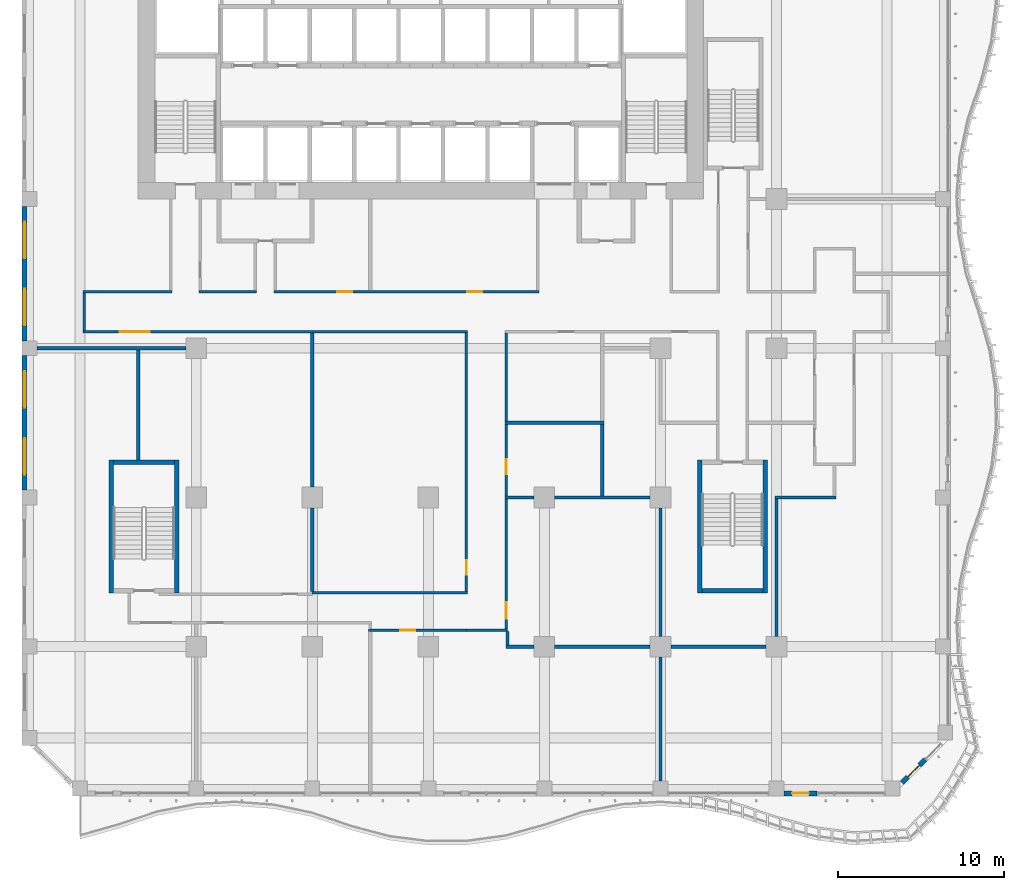
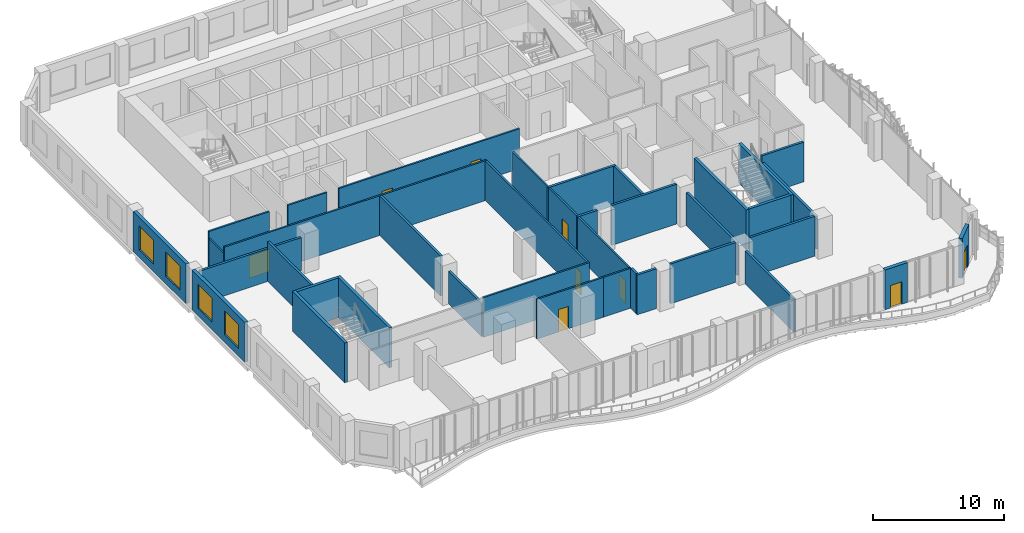
# One storey, part 13 of 28: 38 walls, 9 doors, 4 windows, 13 openings.
"""IFC4 building model written with IfcOpenShell, lengths in metres."""

from ifc_helpers import new_model, si_unit, direction, frame, frame_2d, origin, place, context, subcontext, project, spatial, rectangle, extrude, source, transform, mapped, material, layer, layer_set, type_object, element, fill, save


model = new_model("IFC4")

# Units and contexts
model_context = context("Model", 3, precision=1e-05, world=origin(), true_north=direction((0.0, 1.0)))
body_context = subcontext(model_context, "Body", "Model", "MODEL_VIEW")
ifc_project = project(units=[si_unit("LENGTHUNIT", "METRE"), si_unit("AREAUNIT", "SQUARE_METRE"), si_unit("VOLUMEUNIT", "CUBIC_METRE"), si_unit("PLANEANGLEUNIT", "RADIAN"), si_unit("MASSUNIT", "GRAM", prefix="KILO")], contexts=[model_context])

# Site, building, storey
site_placement = place(None, origin())
site = spatial("IfcSite", under=ifc_project, at=site_placement, CompositionType="ELEMENT")
building_placement = place(site_placement, origin())
building = spatial("IfcBuilding", under=site, at=building_placement, Name="Kilnfold Tower and Market Hall", CompositionType="ELEMENT")
storey_placement = place(building_placement, frame((0.0, 0.0, 87.199951171875)))
storey = spatial("IfcBuildingStorey", under=building, at=storey_placement, Name="L20", CompositionType="ELEMENT", Elevation=87.199951171875)

# Wall
ifc_material_1 = material(Name="Gypsum board on steel studs", Category="steel")
ifc_layer_1 = layer(ifc_material_1, 0.14990234375)
ifc_layer_set_1 = layer_set([ifc_layer_1], Name="Gypsum board on steel studs")
wall_type_1 = type_object("IfcWallType", Name="WALL CORRIDOR 150", PredefinedType="PARTITIONING", material=ifc_layer_set_1)
wall_1_placement = place(storey_placement, frame((3.802001953125, -18.0, 0.0), z_axis=(0.0, 0.0, 1.0), x_axis=(1.0, 0.0, 0.0)))
element("IfcWall", 1, at=wall_1_placement, inside=storey, type_object=wall_type_1, Name="Partition LY14.4", PredefinedType="PARTITIONING", context=body_context, shape_type="SweptSolid", body=[
    extrude(rectangle(XDim=2.472900390625, YDim=0.14990234375, at=frame_2d((1.236328125, 0.0))), origin(), (0.0, 0.0, 1.0), 3.719970703125),
])

# Wall, opening, door
wall_2_placement = place(storey_placement, frame((-2.10205078125, -18.001953125, 0.0), z_axis=(0.0, 0.0, 1.0), x_axis=(1.0, 0.0, 0.0)))
wall_2 = element("IfcWall", 2, at=wall_2_placement, inside=storey, type_object=wall_type_1, Name="Partition LY14.5", PredefinedType="PARTITIONING", context=body_context, shape_type="SweptSolid", body=[
    extrude(rectangle(XDim=5.904052734375, YDim=0.14990234375, at=frame_2d((2.9521484375, 0.0))), origin(), (0.0, 0.0, 1.0), 3.719970703125),
])
opening_1_placement = place(wall_2_placement, frame((1.90087890625, 0.0, 0.0)))
opening_1 = element("IfcOpeningElement", 3, at=opening_1_placement, cuts=wall_2, Name="Opening D2", PredefinedType="OPENING", context=body_context, shape_type="SweptSolid", body=[
    extrude(rectangle(XDim=0.89990234375, YDim=2.10009765625, at=frame_2d((0.449951171875, 1.050048828125))), frame((0.0, 0.0849609375, 0.0), z_axis=(0.0, -1.0, 0.0), x_axis=(1.0, 0.0, 0.0)), (0.0, 0.0, 1.0), 0.169921875),
])
ifc_material_2 = material(Name="Timber veneer door leaf in steel frame", Category="steel")
door_type_1 = type_object("IfcDoorType", Name="DOOR ROOM 900 X2100", OperationType="NOTDEFINED", PredefinedType="DOOR", material=ifc_material_2)
door_1_placement = place(opening_1_placement, origin())
door_1 = element("IfcDoor", 4, at=door_1_placement, inside=storey, type_object=door_type_1, Name="Door D2", OperationType="SINGLE_SWING_RIGHT", OverallHeight=2.10009765625, OverallWidth=0.89990234375, PredefinedType="DOOR", context=body_context, shape_type="SweptSolid", body=[
    extrude(rectangle(XDim=0.89990234375, YDim=2.10009765625, at=frame_2d((0.449951171875, 1.050048828125))), frame((0.0, 0.02490234375, 0.0), z_axis=(0.0, -1.0, 0.0), x_axis=(1.0, 0.0, 0.0)), (0.0, 0.0, 1.0), 0.050048828125),
])
fill(opening_1, door_1)

wall_3_placement = place(storey_placement, frame((-19.324951171875, 0.0, 0.0), z_axis=(0.0, 0.0, 1.0), x_axis=(1.0, 0.0, 0.0)))
wall_3 = element("IfcWall", 5, at=wall_3_placement, inside=storey, type_object=wall_type_1, Name="Partition LY14.6", PredefinedType="PARTITIONING", context=body_context, shape_type="SweptSolid", body=[
    extrude(rectangle(XDim=23.199951171875, YDim=0.14990234375, at=frame_2d((11.60009765625, 0.0))), origin(), (0.0, 0.0, 1.0), 3.719970703125),
])
opening_2_placement = place(wall_3_placement, frame((2.215087890625, 0.0, 0.0)))
opening_2 = element("IfcOpeningElement", 6, at=opening_2_placement, cuts=wall_3, Name="Opening D5", PredefinedType="OPENING", context=body_context, shape_type="SweptSolid", body=[
    extrude(rectangle(XDim=1.800048828125, YDim=2.10009765625, at=frame_2d((0.89990234375, 1.050048828125))), frame((0.0, 0.0849609375, 0.0), z_axis=(0.0, -1.0, 0.0), x_axis=(1.0, 0.0, 0.0)), (0.0, 0.0, 1.0), 0.169921875),
])
ifc_material_3 = material(Name="Timber veneer door leaf in steel frame", Category="steel")
door_type_2 = type_object("IfcDoorType", Name="DOOR DOUBLE 1800 X2100", OperationType="NOTDEFINED", PredefinedType="DOOR", material=ifc_material_3)
door_2_placement = place(opening_2_placement, origin())
door_2 = element("IfcDoor", 7, at=door_2_placement, inside=storey, type_object=door_type_2, Name="Door D5", OperationType="DOUBLE_DOOR_SINGLE_SWING", OverallHeight=2.10009765625, OverallWidth=1.800048828125, PredefinedType="DOOR", context=body_context, shape_type="SweptSolid", body=[
    extrude(rectangle(XDim=1.800048828125, YDim=2.10009765625, at=frame_2d((0.89990234375, 1.050048828125))), frame((0.0, 0.02490234375, 0.0), z_axis=(0.0, -1.0, 0.0), x_axis=(1.0, 0.0, 0.0)), (0.0, 0.0, 1.0), 0.050048828125),
])
fill(opening_2, door_2)

# Walls
wall_4_placement = place(storey_placement, frame((-19.25, 2.324951171875, 0.0), z_axis=(0.0, 0.0, 1.0), x_axis=(0.0, -1.0, 0.0)))
element("IfcWall", 8, at=wall_4_placement, inside=storey, type_object=wall_type_1, Name="Partition LY14.7", PredefinedType="PARTITIONING", context=body_context, shape_type="SweptSolid", body=[
    extrude(rectangle(XDim=2.25, YDim=0.14990234375, at=frame_2d((1.125, 0.0))), origin(), (0.0, 0.0, 1.0), 3.070068359375),
])
wall_5_placement = place(storey_placement, frame((-19.324951171875, 2.39990234375, 0.0), z_axis=(0.0, 0.0, 1.0), x_axis=(1.0, 0.0, 0.0)))
element("IfcWall", 9, at=wall_5_placement, inside=storey, type_object=wall_type_1, Name="Partition LY14.8", PredefinedType="PARTITIONING", context=body_context, shape_type="SweptSolid", body=[
    extrude(rectangle(XDim=5.349853515625, YDim=0.14990234375, at=frame_2d((2.6748046875, 0.0))), origin(), (0.0, 0.0, 1.0), 3.719970703125),
])
wall_6_placement = place(storey_placement, frame((3.875, -15.75, 0.0), z_axis=(0.0, 0.0, 1.0), x_axis=(-1.0, 0.0, 0.0)))
element("IfcWall", 10, at=wall_6_placement, inside=storey, type_object=wall_type_1, Name="Partition LY14.11", PredefinedType="PARTITIONING", context=body_context, shape_type="SweptSolid", body=[
    extrude(rectangle(XDim=9.385009765625, YDim=0.14990234375, at=frame_2d((4.6923828125, 0.0))), origin(), (0.0, 0.0, 1.0), 3.719970703125),
])

# Wall, opening, door
wall_7_placement = place(storey_placement, frame((3.800048828125, -0.074951171875, 0.0), z_axis=(0.0, 0.0, 1.0), x_axis=(0.0, -1.0, 0.0)))
wall_7 = element("IfcWall", 11, at=wall_7_placement, inside=storey, type_object=wall_type_1, Name="Partition LY14.12", PredefinedType="PARTITIONING", context=body_context, shape_type="SweptSolid", body=[
    extrude(rectangle(XDim=15.60009765625, YDim=0.14990234375, at=frame_2d((7.800048828125, 0.0))), origin(), (0.0, 0.0, 1.0), 3.719970703125),
])
opening_3_placement = place(wall_7_placement, frame((13.699951171875, 0.0, 0.0)))
opening_3 = element("IfcOpeningElement", 12, at=opening_3_placement, cuts=wall_7, Name="Opening D2", PredefinedType="OPENING", context=body_context, shape_type="SweptSolid", body=[
    extrude(rectangle(XDim=0.89990234375, YDim=2.10009765625, at=frame_2d((0.449951171875, 1.050048828125))), frame((0.0, 0.0849609375, 0.0), z_axis=(0.0, -1.0, 0.0), x_axis=(1.0, 0.0, 0.0)), (0.0, 0.0, 1.0), 0.169921875),
])
door_3_placement = place(opening_3_placement, origin())
door_3 = element("IfcDoor", 13, at=door_3_placement, inside=storey, type_object=door_type_1, Name="Door D2", OperationType="SINGLE_SWING_RIGHT", OverallHeight=2.10009765625, OverallWidth=0.89990234375, PredefinedType="DOOR", context=body_context, shape_type="SweptSolid", body=[
    extrude(rectangle(XDim=0.89990234375, YDim=2.10009765625, at=frame_2d((0.449951171875, 1.050048828125))), frame((0.0, 0.02490234375, 0.0), z_axis=(0.0, -1.0, 0.0), x_axis=(1.0, 0.0, 0.0)), (0.0, 0.0, 1.0), 0.050048828125),
])
fill(opening_3, door_3)

# Wall
wall_8_placement = place(storey_placement, frame((-12.324951171875, 2.39990234375, 0.0), z_axis=(0.0, 0.0, 1.0), x_axis=(1.0, 0.0, 0.0)))
element("IfcWall", 14, at=wall_8_placement, inside=storey, type_object=wall_type_1, Name="Partition LY14.14", PredefinedType="PARTITIONING", context=body_context, shape_type="SweptSolid", body=[
    extrude(rectangle(XDim=3.469970703125, YDim=0.14990234375, at=frame_2d((1.73486328125, 0.0))), origin(), (0.0, 0.0, 1.0), 3.719970703125),
])

# Wall, openings, doors
wall_9_placement = place(storey_placement, frame((-7.804931640625, 2.39990234375, 0.0), z_axis=(0.0, 0.0, 1.0), x_axis=(1.0, 0.0, 0.0)))
wall_9 = element("IfcWall", 15, at=wall_9_placement, inside=storey, type_object=wall_type_1, Name="Partition LY14.17", PredefinedType="PARTITIONING", context=body_context, shape_type="SweptSolid", body=[
    extrude(rectangle(XDim=15.969970703125, YDim=0.14990234375, at=frame_2d((7.98486328125, 0.0))), origin(), (0.0, 0.0, 1.0), 3.719970703125),
])
opening_4_placement = place(wall_9_placement, frame((3.81201171875, 0.0, 0.0)))
opening_4 = element("IfcOpeningElement", 16, at=opening_4_placement, cuts=wall_9, Name="Opening D3", PredefinedType="OPENING", context=body_context, shape_type="SweptSolid", body=[
    extrude(rectangle(XDim=0.89990234375, YDim=2.10009765625, at=frame_2d((0.449951171875, 1.050048828125))), frame((0.0, 0.0849609375, 0.0), z_axis=(0.0, -1.0, 0.0), x_axis=(1.0, 0.0, 0.0)), (0.0, 0.0, 1.0), 0.169921875),
])
opening_5_placement = place(wall_9_placement, frame((11.64306640625, 0.0, 0.0)))
opening_5 = element("IfcOpeningElement", 17, at=opening_5_placement, cuts=wall_9, Name="Opening D2", PredefinedType="OPENING", context=body_context, shape_type="SweptSolid", body=[
    extrude(rectangle(XDim=0.89990234375, YDim=2.10009765625, at=frame_2d((0.449951171875, 1.050048828125))), frame((0.0, 0.0849609375, 0.0), z_axis=(0.0, -1.0, 0.0), x_axis=(1.0, 0.0, 0.0)), (0.0, 0.0, 1.0), 0.169921875),
])
door_4_placement = place(opening_5_placement, origin())
door_4 = element("IfcDoor", 18, at=door_4_placement, inside=storey, type_object=door_type_1, Name="Door D2", OperationType="SINGLE_SWING_LEFT", OverallHeight=2.10009765625, OverallWidth=0.89990234375, PredefinedType="DOOR", context=body_context, shape_type="SweptSolid", body=[
    extrude(rectangle(XDim=0.89990234375, YDim=2.10009765625, at=frame_2d((0.449951171875, 1.050048828125))), frame((0.0, 0.02490234375, 0.0), z_axis=(0.0, -1.0, 0.0), x_axis=(1.0, 0.0, 0.0)), (0.0, 0.0, 1.0), 0.050048828125),
])
fill(opening_5, door_4)
ifc_material_4 = material(Name="Timber veneer door leaf in steel frame", Category="steel")
door_type_3 = type_object("IfcDoorType", Name="DOOR WC 900 X2100", OperationType="NOTDEFINED", PredefinedType="DOOR", material=ifc_material_4)
door_5_placement = place(opening_4_placement, origin())
door_5 = element("IfcDoor", 19, at=door_5_placement, inside=storey, type_object=door_type_3, Name="Door D3", OperationType="SINGLE_SWING_RIGHT", OverallHeight=2.10009765625, OverallWidth=0.89990234375, PredefinedType="DOOR", context=body_context, shape_type="SweptSolid", body=[
    extrude(rectangle(XDim=0.89990234375, YDim=2.10009765625, at=frame_2d((0.449951171875, 1.050048828125))), frame((0.0, 0.02490234375, 0.0), z_axis=(0.0, -1.0, 0.0), x_axis=(1.0, 0.0, 0.0)), (0.0, 0.0, 1.0), 0.050048828125),
])
fill(opening_4, door_5)

# Wall, opening, door
wall_10_placement = place(storey_placement, frame((6.199951171875, -17.925048828125, 0.0), z_axis=(0.0, 0.0, 1.0), x_axis=(0.0, 1.0, 0.0)))
wall_10 = element("IfcWall", 20, at=wall_10_placement, inside=storey, type_object=wall_type_1, Name="Partition LY14.19", PredefinedType="PARTITIONING", context=body_context, shape_type="SweptSolid", body=[
    extrude(rectangle(XDim=7.8349609375, YDim=0.14990234375, at=frame_2d((3.91748046875, 0.0))), origin(), (0.0, 0.0, 1.0), 3.719970703125),
])
opening_6_placement = place(wall_10_placement, frame((0.60205078125, 0.0, 0.0)))
opening_6 = element("IfcOpeningElement", 21, at=opening_6_placement, cuts=wall_10, Name="Opening D1", PredefinedType="OPENING", context=body_context, shape_type="SweptSolid", body=[
    extrude(rectangle(XDim=1.0, YDim=2.10009765625, at=frame_2d((0.5, 1.050048828125))), frame((0.0, 0.0849609375, 0.0), z_axis=(0.0, -1.0, 0.0), x_axis=(1.0, 0.0, 0.0)), (0.0, 0.0, 1.0), 0.169921875),
])
ifc_material_5 = material(Name="Timber veneer door leaf in steel frame", Category="steel")
door_type_4 = type_object("IfcDoorType", Name="DOOR ENTRY 1000 X2100", OperationType="NOTDEFINED", PredefinedType="DOOR", material=ifc_material_5)
door_6_placement = place(opening_6_placement, origin())
door_6 = element("IfcDoor", 22, at=door_6_placement, inside=storey, type_object=door_type_4, Name="Door D1", OperationType="SINGLE_SWING_LEFT", OverallHeight=2.10009765625, OverallWidth=1.0, PredefinedType="DOOR", context=body_context, shape_type="SweptSolid", body=[
    extrude(rectangle(XDim=1.0, YDim=2.10009765625, at=frame_2d((0.5, 1.050048828125))), frame((0.0, 0.02490234375, 0.0), z_axis=(0.0, -1.0, 0.0), x_axis=(1.0, 0.0, 0.0)), (0.0, 0.0, 1.0), 0.050048828125),
])
fill(opening_6, door_6)

wall_11_placement = place(storey_placement, frame((6.199951171875, -9.909912109375, 0.0), z_axis=(0.0, 0.0, 1.0), x_axis=(0.0, 1.0, 0.0)))
wall_11 = element("IfcWall", 23, at=wall_11_placement, inside=storey, type_object=wall_type_1, Name="Partition LY14.20", PredefinedType="PARTITIONING", context=body_context, shape_type="SweptSolid", body=[
    extrude(rectangle(XDim=4.31982421875, YDim=0.14990234375, at=frame_2d((2.159912109375, 0.0))), origin(), (0.0, 0.0, 1.0), 3.719970703125),
])
opening_7_placement = place(wall_11_placement, frame((1.306884765625, 0.0, 0.0)))
opening_7 = element("IfcOpeningElement", 24, at=opening_7_placement, cuts=wall_11, Name="Opening D2", PredefinedType="OPENING", context=body_context, shape_type="SweptSolid", body=[
    extrude(rectangle(XDim=0.89990234375, YDim=2.10009765625, at=frame_2d((0.449951171875, 1.050048828125))), frame((0.0, 0.0849609375, 0.0), z_axis=(0.0, -1.0, 0.0), x_axis=(1.0, 0.0, 0.0)), (0.0, 0.0, 1.0), 0.169921875),
])
door_7_placement = place(opening_7_placement, origin())
door_7 = element("IfcDoor", 25, at=door_7_placement, inside=storey, type_object=door_type_1, Name="Door D2", OperationType="SINGLE_SWING_RIGHT", OverallHeight=2.10009765625, OverallWidth=0.89990234375, PredefinedType="DOOR", context=body_context, shape_type="SweptSolid", body=[
    extrude(rectangle(XDim=0.89990234375, YDim=2.10009765625, at=frame_2d((0.449951171875, 1.050048828125))), frame((0.0, 0.02490234375, 0.0), z_axis=(0.0, -1.0, 0.0), x_axis=(1.0, 0.0, 0.0)), (0.0, 0.0, 1.0), 0.050048828125),
])
fill(opening_7, door_7)

# Walls
wall_12_placement = place(storey_placement, frame((6.199951171875, -5.409912109375, 0.0), z_axis=(0.0, 0.0, 1.0), x_axis=(0.0, 1.0, 0.0)))
element("IfcWall", 26, at=wall_12_placement, inside=storey, type_object=wall_type_1, Name="Partition LY14.22", PredefinedType="PARTITIONING", context=body_context, shape_type="SweptSolid", body=[
    extrude(rectangle(XDim=5.3349609375, YDim=0.14990234375, at=frame_2d((2.66748046875, 0.0))), origin(), (0.0, 0.0, 1.0), 3.719970703125),
])
ifc_material_6 = material(Name="Gypsum board on steel studs", Category="steel")
ifc_layer_2 = layer(ifc_material_6, 0.199951171875)
ifc_layer_set_2 = layer_set([ifc_layer_2], Name="Gypsum board on steel studs")
wall_type_2 = type_object("IfcWallType", Name="WALL PARTY 200", PredefinedType="PARTITIONING", material=ifc_layer_set_2)
wall_13_placement = place(storey_placement, frame((-22.10009765625, -1.0, 0.0), z_axis=(0.0, 0.0, 1.0), x_axis=(1.0, 0.0, 0.0)))
element("IfcWall", 27, at=wall_13_placement, inside=storey, type_object=wall_type_2, Name="Partition LY14.47", PredefinedType="PARTITIONING", context=body_context, shape_type="SweptSolid", body=[
    extrude(rectangle(XDim=8.97509765625, YDim=0.199951171875, at=frame_2d((4.487548828125, 0.0))), origin(), (0.0, 0.0, 1.0), 3.070068359375),
])
wall_14_placement = place(storey_placement, frame((-16.0, -7.75, 0.0), z_axis=(0.0, 0.0, 1.0), x_axis=(0.0, 1.0, 0.0)))
element("IfcWall", 28, at=wall_14_placement, inside=storey, type_object=wall_type_2, Name="Partition LY14.48", PredefinedType="PARTITIONING", context=body_context, shape_type="SweptSolid", body=[
    extrude(rectangle(XDim=6.64990234375, YDim=0.199951171875, at=frame_2d((3.324951171875, 0.0))), origin(), (0.0, 0.0, 1.0), 3.719970703125),
])
wall_15_placement = place(storey_placement, frame((6.277099609375, -18.89990234375, 0.0), z_axis=(0.0, 0.0, 1.0), x_axis=(0.0, 1.0, 0.0)))
element("IfcWall", 29, at=wall_15_placement, inside=storey, type_object=wall_type_2, Name="Partition LY14.50", PredefinedType="PARTITIONING", context=body_context, shape_type="SweptSolid", body=[
    extrude(rectangle(XDim=0.824951171875, YDim=0.199951171875, at=frame_2d((0.41259765625, 0.0))), origin(), (0.0, 0.0, 1.0), 3.719970703125),
])
wall_16_placement = place(storey_placement, frame((6.177001953125, -19.0, 0.0), z_axis=(0.0, 0.0, 1.0), x_axis=(1.0, 0.0, 0.0)))
element("IfcWall", 30, at=wall_16_placement, inside=storey, type_object=wall_type_2, Name="Partition LY14.51", PredefinedType="PARTITIONING", context=body_context, shape_type="SweptSolid", body=[
    extrude(rectangle(XDim=1.697998046875, YDim=0.199951171875, at=frame_2d((0.84912109375, 0.0))), origin(), (0.0, 0.0, 1.0), 3.719970703125),
])
wall_17_placement = place(storey_placement, frame((9.125, -19.0, 0.0), z_axis=(0.0, 0.0, 1.0), x_axis=(1.0, 0.0, 0.0)))
element("IfcWall", 31, at=wall_17_placement, inside=storey, type_object=wall_type_2, Name="Partition LY14.52", PredefinedType="PARTITIONING", context=body_context, shape_type="SweptSolid", body=[
    extrude(rectangle(XDim=5.75, YDim=0.199951171875, at=frame_2d((2.875, 0.0))), origin(), (0.0, 0.0, 1.0), 3.719970703125),
])
wall_18_placement = place(storey_placement, frame((15.5, -27.10009765625, 0.0), z_axis=(0.0, 0.0, 1.0), x_axis=(0.0, 1.0, 0.0)))
element("IfcWall", 32, at=wall_18_placement, inside=storey, type_object=wall_type_2, Name="Partition LY14.53", PredefinedType="PARTITIONING", context=body_context, shape_type="SweptSolid", body=[
    extrude(rectangle(XDim=7.47509765625, YDim=0.199951171875, at=frame_2d((3.737548828125, 0.0))), origin(), (0.0, 0.0, 1.0), 3.070068359375),
])
wall_19_placement = place(storey_placement, frame((-5.5, -9.375, 0.0), z_axis=(0.0, 0.0, 1.0), x_axis=(0.0, 1.0, 0.0)))
element("IfcWall", 33, at=wall_19_placement, inside=storey, type_object=wall_type_2, Name="Partition LY14.56", PredefinedType="PARTITIONING", context=body_context, shape_type="SweptSolid", body=[
    extrude(rectangle(XDim=9.299072265625, YDim=0.199951171875, at=frame_2d((4.6494140625, 0.0))), origin(), (0.0, 0.0, 1.0), 3.719970703125),
])
wall_20_placement = place(storey_placement, frame((-5.5, -15.674072265625, 0.0), z_axis=(0.0, 0.0, 1.0), x_axis=(0.0, 1.0, 0.0)))
element("IfcWall", 34, at=wall_20_placement, inside=storey, type_object=wall_type_2, Name="Partition LY14.57", PredefinedType="PARTITIONING", context=body_context, shape_type="SweptSolid", body=[
    extrude(rectangle(XDim=5.049072265625, YDim=0.199951171875, at=frame_2d((2.5244140625, 0.0))), origin(), (0.0, 0.0, 1.0), 3.070068359375),
])
wall_21_placement = place(storey_placement, frame((9.125, -10.0, 0.0), z_axis=(0.0, 0.0, 1.0), x_axis=(1.0, 0.0, 0.0)))
element("IfcWall", 35, at=wall_21_placement, inside=storey, type_object=wall_type_2, Name="Partition LY14.59", PredefinedType="PARTITIONING", context=body_context, shape_type="SweptSolid", body=[
    extrude(rectangle(XDim=5.75, YDim=0.199951171875, at=frame_2d((2.875, 0.0))), origin(), (0.0, 0.0, 1.0), 3.719970703125),
])
wall_22_placement = place(storey_placement, frame((6.1259765625, -10.0, 0.0), z_axis=(0.0, 0.0, 1.0), x_axis=(1.0, 0.0, 0.0)))
element("IfcWall", 36, at=wall_22_placement, inside=storey, type_object=wall_type_2, Name="Partition LY14.60", PredefinedType="PARTITIONING", context=body_context, shape_type="SweptSolid", body=[
    extrude(rectangle(XDim=1.7490234375, YDim=0.199951171875, at=frame_2d((0.87451171875, 0.0))), origin(), (0.0, 0.0, 1.0), 3.719970703125),
])
wall_23_placement = place(storey_placement, frame((15.5, -18.375, 0.0), z_axis=(0.0, 0.0, 1.0), x_axis=(0.0, 1.0, 0.0)))
element("IfcWall", 37, at=wall_23_placement, inside=storey, type_object=wall_type_2, Name="Partition LY14.61", PredefinedType="PARTITIONING", context=body_context, shape_type="SweptSolid", body=[
    extrude(rectangle(XDim=7.75, YDim=0.199951171875, at=frame_2d((3.875, 0.0))), origin(), (0.0, 0.0, 1.0), 3.070068359375),
])
wall_24_placement = place(storey_placement, frame((6.1259765625, -5.5, 0.0), z_axis=(0.0, 0.0, 1.0), x_axis=(1.0, 0.0, 0.0)))
element("IfcWall", 38, at=wall_24_placement, inside=storey, type_object=wall_type_2, Name="Partition LY14.62", PredefinedType="PARTITIONING", context=body_context, shape_type="SweptSolid", body=[
    extrude(rectangle(XDim=5.97412109375, YDim=0.199951171875, at=frame_2d((2.987060546875, 0.0))), origin(), (0.0, 0.0, 1.0), 3.719970703125),
])
wall_25_placement = place(storey_placement, frame((12.0, -9.89990234375, 0.0), z_axis=(0.0, 0.0, 1.0), x_axis=(0.0, 1.0, 0.0)))
element("IfcWall", 39, at=wall_25_placement, inside=storey, type_object=wall_type_2, Name="Partition LY14.63", PredefinedType="PARTITIONING", context=body_context, shape_type="SweptSolid", body=[
    extrude(rectangle(XDim=4.2998046875, YDim=0.199951171875, at=frame_2d((2.14990234375, 0.0))), origin(), (0.0, 0.0, 1.0), 3.719970703125),
])
wall_26_placement = place(storey_placement, frame((22.39990234375, -10.0, 0.0), z_axis=(0.0, 0.0, 1.0), x_axis=(1.0, 0.0, 0.0)))
element("IfcWall", 40, at=wall_26_placement, inside=storey, type_object=wall_type_2, Name="Partition LY14.71", PredefinedType="PARTITIONING", context=body_context, shape_type="SweptSolid", body=[
    extrude(rectangle(XDim=3.7001953125, YDim=0.199951171875, at=frame_2d((1.85009765625, 0.0))), origin(), (0.0, 0.0, 1.0), 3.719970703125),
])
wall_27_placement = place(storey_placement, frame((22.5, -18.375, 0.0), z_axis=(0.0, 0.0, 1.0), x_axis=(0.0, 1.0, 0.0)))
element("IfcWall", 41, at=wall_27_placement, inside=storey, type_object=wall_type_2, Name="Partition LY14.72", PredefinedType="PARTITIONING", context=body_context, shape_type="SweptSolid", body=[
    extrude(rectangle(XDim=8.27490234375, YDim=0.199951171875, at=frame_2d((4.137451171875, 0.0))), origin(), (0.0, 0.0, 1.0), 3.070068359375),
])
wall_28_placement = place(storey_placement, frame((16.125, -19.0, 0.0), z_axis=(0.0, 0.0, 1.0), x_axis=(1.0, 0.0, 0.0)))
element("IfcWall", 42, at=wall_28_placement, inside=storey, type_object=wall_type_2, Name="Partition LY14.73", PredefinedType="PARTITIONING", context=body_context, shape_type="SweptSolid", body=[
    extrude(rectangle(XDim=5.75, YDim=0.199951171875, at=frame_2d((2.875, 0.0))), origin(), (0.0, 0.0, 1.0), 3.719970703125),
])
ifc_material_7 = material(Name="Concrete C80", Category="concrete")
ifc_layer_3 = layer(ifc_material_7, 0.25)
ifc_layer_set_3 = layer_set([ifc_layer_3], Name="Concrete C80")
wall_type_3 = type_object("IfcWallType", Name="CORE WALL 250 C80", PredefinedType="SHEAR", material=ifc_layer_set_3)
shared_shape_1 = source(origin(), body_context, "Body", "SweptSolid", [
    extrude(rectangle(XDim=3.699951171875, YDim=0.25, at=frame_2d((1.85009765625, 0.0))), origin(), (0.0, 0.0, 1.0), 3.719970703125),
])
for number, where, z_axis, x_axis, name in (
    (43, (-17.5, -7.875, 0.0), (0.0, 0.0, 1.0), (1.0, 0.0, 0.0), "Stair enclosure ST3"),
    (44, (18.0, -15.625, 0.0), (0.0, 0.0, 1.0), (1.0, 0.0, 0.0), "Stair enclosure ST4"),
):
    element("IfcWall", number, at=place(storey_placement, frame(where, z_axis=z_axis, x_axis=x_axis)), inside=storey, type_object=wall_type_3, Name=name, PredefinedType="SHEAR", context=body_context, shape_type="MappedRepresentation", body=[
        mapped(shared_shape_1, transform((0.0, 0.0, 0.0))),
    ])
shared_shape_2 = source(origin(), body_context, "Body", "SweptSolid", [
    extrude(rectangle(XDim=8.0, YDim=0.25, at=frame_2d((4.0, 0.0))), origin(), (0.0, 0.0, 1.0), 3.719970703125),
])
for number, where, z_axis, x_axis, name in (
    (45, (-17.625, -15.75, 0.0), (0.0, 0.0, 1.0), (0.0, 1.0, 0.0), "Stair enclosure ST3"),
    (46, (-13.675048828125, -15.75, 0.0), (0.0, 0.0, 1.0), (0.0, 1.0, 0.0), "Stair enclosure ST3"),
    (47, (17.875, -15.75, 0.0), (0.0, 0.0, 1.0), (0.0, 1.0, 0.0), "Stair enclosure ST4"),
    (48, (21.824951171875, -15.75, 0.0), (0.0, 0.0, 1.0), (0.0, 1.0, 0.0), "Stair enclosure ST4"),
):
    element("IfcWall", number, at=place(storey_placement, frame(where, z_axis=z_axis, x_axis=x_axis)), inside=storey, type_object=wall_type_3, Name=name, PredefinedType="SHEAR", context=body_context, shape_type="MappedRepresentation", body=[
        mapped(shared_shape_2, transform((0.0, 0.0, 0.0))),
    ])

# Wall, opening, door
ifc_material_8 = material(Name="Precast concrete C50/60", Category="concrete")
ifc_layer_4 = layer(ifc_material_8, 0.300048828125)
ifc_layer_set_4 = layer_set([ifc_layer_4], Name="Precast concrete C50/60")
wall_type_4 = type_object("IfcWallType", Name="PRECAST WALL 300", PredefinedType="SOLIDWALL", material=ifc_layer_set_4)
shared_shape_3 = source(origin(), body_context, "Body", "SweptSolid", [
    extrude(rectangle(XDim=2.0, YDim=0.300048828125, at=frame_2d((1.0, 0.0))), origin(), (0.0, 0.0, 1.0), 3.719970703125),
])
wall_29_placement = place(storey_placement, frame((22.949951171875, -27.85009765625, 0.0), z_axis=(0.0, 0.0, 1.0), x_axis=(1.0, 0.0, 0.0)))
wall_29 = element("IfcWall", 49, at=wall_29_placement, inside=storey, type_object=wall_type_4, Name="External wall L20 S", PredefinedType="SOLIDWALL", context=body_context, shape_type="MappedRepresentation", body=[
    mapped(shared_shape_3, transform((0.0, 0.0, 0.0))),
])
opening_8_placement = place(wall_29_placement, frame((0.5, 0.0, 0.0)))
opening_8 = element("IfcOpeningElement", 50, at=opening_8_placement, cuts=wall_29, Name="Opening BD1", PredefinedType="OPENING", context=body_context, shape_type="SweptSolid", body=[
    extrude(rectangle(XDim=1.0, YDim=2.10009765625, at=frame_2d((0.5, 1.050048828125))), frame((0.0, 0.16015625, 0.0), z_axis=(0.0, -1.0, 0.0), x_axis=(1.0, 0.0, 0.0)), (0.0, 0.0, 1.0), 0.320068359375),
])
ifc_material_9 = material(Name="Aluminium frame and double glazing", Category="aluminium")
door_type_5 = type_object("IfcDoorType", Name="BALCONY DOOR 1000X2100", OperationType="NOTDEFINED", PredefinedType="DOOR", material=ifc_material_9)
door_8_placement = place(opening_8_placement, origin())
door_8 = element("IfcDoor", 51, at=door_8_placement, inside=storey, type_object=door_type_5, Name="Balcony door BD1 L20 S-1", OperationType="SINGLE_SWING_LEFT", OverallHeight=2.10009765625, OverallWidth=1.0, PredefinedType="DOOR", context=body_context, shape_type="SweptSolid", body=[
    extrude(rectangle(XDim=1.0, YDim=2.10009765625, at=frame_2d((0.5, 1.050048828125))), frame((0.0, 0.02490234375, 0.0), z_axis=(0.0, -1.0, 0.0), x_axis=(1.0, 0.0, 0.0)), (0.0, 0.0, 1.0), 0.050048828125),
])
fill(opening_8, door_8)

shared_shape_4 = source(origin(), body_context, "Body", "SweptSolid", [
    extrude(rectangle(XDim=2.000244140625, YDim=0.300048828125, at=frame_2d((1.0, 0.0))), origin(), (0.0, 0.0, 1.0), 3.719970703125),
])
wall_30_placement = place(storey_placement, frame((30.06884765625, -27.218994140625, 0.0), z_axis=(0.0, 0.0, 1.0), x_axis=(0.707106781187, 0.707106781187, 0.0)))
wall_30 = element("IfcWall", 52, at=wall_30_placement, inside=storey, type_object=wall_type_4, Name="External wall L20 SE", PredefinedType="SOLIDWALL", context=body_context, shape_type="MappedRepresentation", body=[
    mapped(shared_shape_4, transform((0.0, 0.0, 0.0))),
])
opening_9_placement = place(wall_30_placement, frame((0.5, 0.0, 0.0)))
opening_9 = element("IfcOpeningElement", 53, at=opening_9_placement, cuts=wall_30, Name="Opening BD1", PredefinedType="OPENING", context=body_context, shape_type="SweptSolid", body=[
    extrude(rectangle(XDim=1.0, YDim=2.10009765625, at=frame_2d((0.5, 1.050048828125))), frame((0.0, 0.16015625, 0.0), z_axis=(0.0, -1.0, 0.0), x_axis=(1.0, 0.0, 0.0)), (0.0, 0.0, 1.0), 0.320068359375),
])
door_9_placement = place(opening_9_placement, origin())
door_9 = element("IfcDoor", 54, at=door_9_placement, inside=storey, type_object=door_type_5, Name="Balcony door BD1 L20 SE-1", OperationType="SINGLE_SWING_LEFT", OverallHeight=2.10009765625, OverallWidth=1.0, PredefinedType="DOOR", context=body_context, shape_type="SweptSolid", body=[
    extrude(rectangle(XDim=1.0, YDim=2.10009765625, at=frame_2d((0.5, 1.050048828125))), frame((0.0, 0.02490234375, 0.0), z_axis=(0.0, -1.0, 0.0), x_axis=(1.0, 0.0, 0.0)), (0.0, 0.0, 1.0), 0.050048828125),
])
fill(opening_9, door_9)

# Wall, openings, windows
shared_shape_5 = source(origin(), body_context, "Body", "SweptSolid", [
    extrude(rectangle(XDim=8.10009765625, YDim=0.300048828125, at=frame_2d((4.050048828125, 0.0))), origin(), (0.0, 0.0, 1.0), 3.719970703125),
])
wall_31_placement = place(storey_placement, frame((-22.85009765625, 7.550048828125, 0.0), z_axis=(0.0, 0.0, 1.0), x_axis=(0.0, -1.0, 0.0)))
wall_31 = element("IfcWall", 55, at=wall_31_placement, inside=storey, type_object=wall_type_4, Name="External wall L20 W", PredefinedType="SOLIDWALL", context=body_context, shape_type="MappedRepresentation", body=[
    mapped(shared_shape_5, transform((0.0, 0.0, 0.0))),
])
opening_10_placement = place(wall_31_placement, frame((0.925048828125, 0.0, 0.699951171875)))
opening_10 = element("IfcOpeningElement", 56, at=opening_10_placement, cuts=wall_31, Name="Opening W1", PredefinedType="OPENING", context=body_context, shape_type="SweptSolid", body=[
    extrude(rectangle(XDim=2.199951171875, YDim=2.25, at=frame_2d((1.10009765625, 1.125))), frame((0.0, 0.16015625, 0.0), z_axis=(0.0, -1.0, 0.0), x_axis=(1.0, 0.0, 0.0)), (0.0, 0.0, 1.0), 0.320068359375),
])
opening_11_placement = place(wall_31_placement, frame((4.97509765625, 0.0, 0.699951171875)))
opening_11 = element("IfcOpeningElement", 57, at=opening_11_placement, cuts=wall_31, Name="Opening W1", PredefinedType="OPENING", context=body_context, shape_type="SweptSolid", body=[
    extrude(rectangle(XDim=2.199951171875, YDim=2.25, at=frame_2d((1.10009765625, 1.125))), frame((0.0, 0.16015625, 0.0), z_axis=(0.0, -1.0, 0.0), x_axis=(1.0, 0.0, 0.0)), (0.0, 0.0, 1.0), 0.320068359375),
])
ifc_material_10 = material(Name="Aluminium frame and double glazing", Category="aluminium")
window_type = type_object("IfcWindowType", Name="WINDOW W1 2200X2250", PartitioningType="SINGLE_PANEL", PredefinedType="WINDOW", material=ifc_material_10)
window_1_placement = place(opening_10_placement, origin())
window_1 = element("IfcWindow", 58, at=window_1_placement, inside=storey, type_object=window_type, Name="Window W1 L20 W-1", OverallHeight=2.25, OverallWidth=2.199951171875, PartitioningType="SINGLE_PANEL", PredefinedType="WINDOW", context=body_context, shape_type="SweptSolid", body=[
    extrude(rectangle(XDim=2.199951171875, YDim=2.25, at=frame_2d((1.10009765625, 1.125))), frame((0.0, 0.030029296875, 0.0), z_axis=(0.0, -1.0, 0.0), x_axis=(1.0, 0.0, 0.0)), (0.0, 0.0, 1.0), 0.06005859375),
])
fill(opening_10, window_1)
window_2_placement = place(opening_11_placement, origin())
window_2 = element("IfcWindow", 59, at=window_2_placement, inside=storey, type_object=window_type, Name="Window W1 L20 W-2", OverallHeight=2.25, OverallWidth=2.199951171875, PartitioningType="SINGLE_PANEL", PredefinedType="WINDOW", context=body_context, shape_type="SweptSolid", body=[
    extrude(rectangle(XDim=2.199951171875, YDim=2.25, at=frame_2d((1.10009765625, 1.125))), frame((0.0, 0.030029296875, 0.0), z_axis=(0.0, -1.0, 0.0), x_axis=(1.0, 0.0, 0.0)), (0.0, 0.0, 1.0), 0.06005859375),
])
fill(opening_11, window_2)

wall_32_placement = place(storey_placement, frame((-22.85009765625, -1.449951171875, 0.0), z_axis=(0.0, 0.0, 1.0), x_axis=(0.0, -1.0, 0.0)))
wall_32 = element("IfcWall", 60, at=wall_32_placement, inside=storey, type_object=wall_type_4, Name="External wall L20 W", PredefinedType="SOLIDWALL", context=body_context, shape_type="MappedRepresentation", body=[
    mapped(shared_shape_5, transform((0.0, 0.0, 0.0))),
])
opening_12_placement = place(wall_32_placement, frame((0.925048828125, 0.0, 0.699951171875)))
opening_12 = element("IfcOpeningElement", 61, at=opening_12_placement, cuts=wall_32, Name="Opening W1", PredefinedType="OPENING", context=body_context, shape_type="SweptSolid", body=[
    extrude(rectangle(XDim=2.199951171875, YDim=2.25, at=frame_2d((1.10009765625, 1.125))), frame((0.0, 0.16015625, 0.0), z_axis=(0.0, -1.0, 0.0), x_axis=(1.0, 0.0, 0.0)), (0.0, 0.0, 1.0), 0.320068359375),
])
opening_13_placement = place(wall_32_placement, frame((4.97509765625, 0.0, 0.699951171875)))
opening_13 = element("IfcOpeningElement", 62, at=opening_13_placement, cuts=wall_32, Name="Opening W1", PredefinedType="OPENING", context=body_context, shape_type="SweptSolid", body=[
    extrude(rectangle(XDim=2.199951171875, YDim=2.25, at=frame_2d((1.10009765625, 1.125))), frame((0.0, 0.16015625, 0.0), z_axis=(0.0, -1.0, 0.0), x_axis=(1.0, 0.0, 0.0)), (0.0, 0.0, 1.0), 0.320068359375),
])
window_3_placement = place(opening_12_placement, origin())
window_3 = element("IfcWindow", 63, at=window_3_placement, inside=storey, type_object=window_type, Name="Window W1 L20 W-1", OverallHeight=2.25, OverallWidth=2.199951171875, PartitioningType="SINGLE_PANEL", PredefinedType="WINDOW", context=body_context, shape_type="SweptSolid", body=[
    extrude(rectangle(XDim=2.199951171875, YDim=2.25, at=frame_2d((1.10009765625, 1.125))), frame((0.0, 0.030029296875, 0.0), z_axis=(0.0, -1.0, 0.0), x_axis=(1.0, 0.0, 0.0)), (0.0, 0.0, 1.0), 0.06005859375),
])
fill(opening_12, window_3)
window_4_placement = place(opening_13_placement, origin())
window_4 = element("IfcWindow", 64, at=window_4_placement, inside=storey, type_object=window_type, Name="Window W1 L20 W-2", OverallHeight=2.25, OverallWidth=2.199951171875, PartitioningType="SINGLE_PANEL", PredefinedType="WINDOW", context=body_context, shape_type="SweptSolid", body=[
    extrude(rectangle(XDim=2.199951171875, YDim=2.25, at=frame_2d((1.10009765625, 1.125))), frame((0.0, 0.030029296875, 0.0), z_axis=(0.0, -1.0, 0.0), x_axis=(1.0, 0.0, 0.0)), (0.0, 0.0, 1.0), 0.06005859375),
])
fill(opening_13, window_4)

save(model, "model.ifc")
